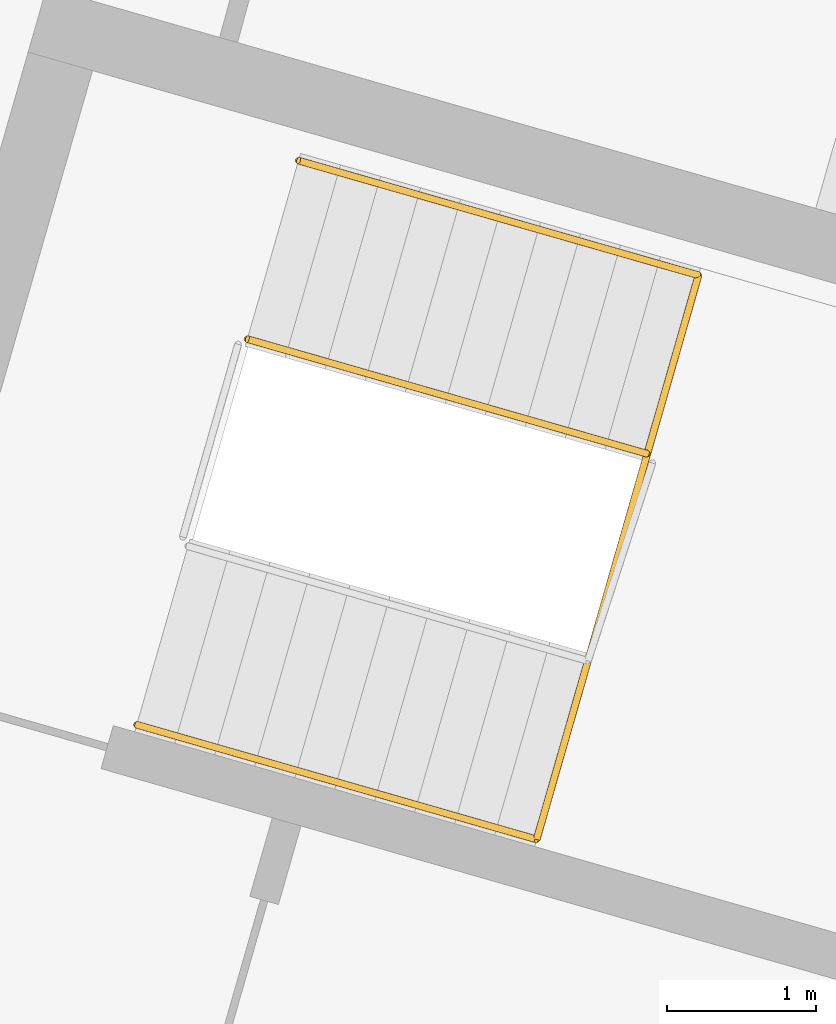
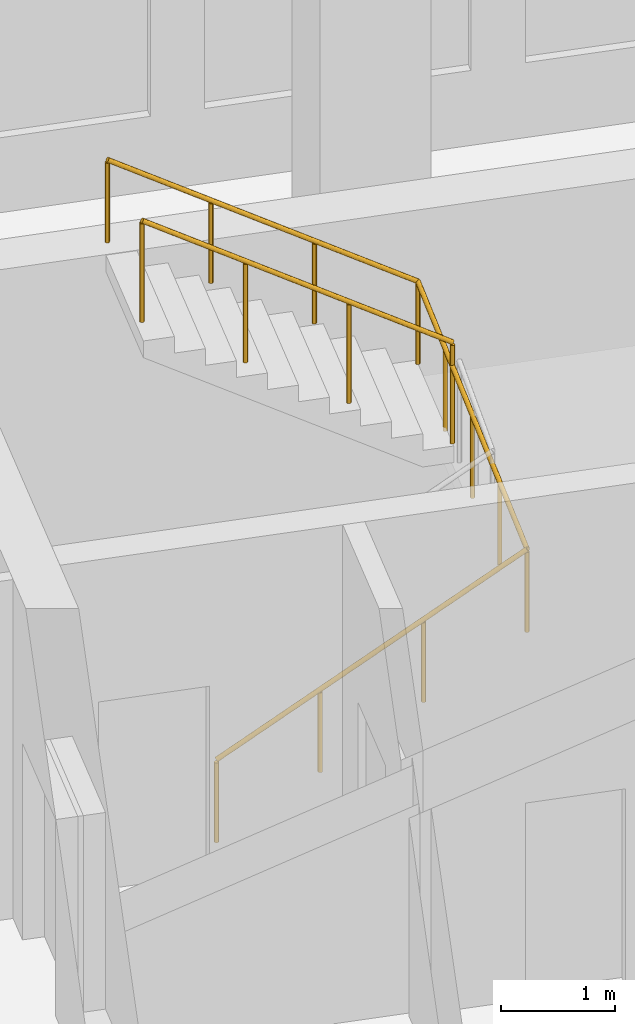
# One storey, part 11 of 12: 2 railings.
"""IFC4 building model written with IfcOpenShell, lengths in metres."""

from ifc_helpers import new_model, si_unit, direction, frame, origin, origin_2d, place, context, subcontext, project, spatial, circle, extrude, material, type_object, element, save


model = new_model("IFC4")

# Units and contexts
model_context = context("Model", 3, precision=1e-05, world=origin(), true_north=direction((0.0, 1.0)))
body_context = subcontext(model_context, "Body", "Model", "MODEL_VIEW")
ifc_project = project(units=[si_unit("LENGTHUNIT", "METRE"), si_unit("AREAUNIT", "SQUARE_METRE"), si_unit("VOLUMEUNIT", "CUBIC_METRE"), si_unit("PLANEANGLEUNIT", "RADIAN"), si_unit("MASSUNIT", "GRAM", prefix="KILO")], contexts=[model_context])

# Site, building, storey
site_placement = place(None, origin())
site = spatial("IfcSite", under=ifc_project, at=site_placement, CompositionType="ELEMENT")
building_placement = place(site_placement, origin())
building = spatial("IfcBuilding", under=site, at=building_placement, Name="Binnacle Exchange Tower", CompositionType="ELEMENT")
storey_placement = place(building_placement, frame((0.0, 0.0, 250.39990234375)))
storey = spatial("IfcBuildingStorey", under=building, at=storey_placement, Name="L55", CompositionType="ELEMENT", Elevation=250.39990234375)

# Railings
ifc_material_1 = material(Name="Steel guard rail", Category="steel")
railing_type_1 = type_object("IfcRailingType", Name="STAIR GUARD 1100", PredefinedType="GUARDRAIL", material=ifc_material_1)
railing_1_placement = place(storey_placement, frame((24.177734375, 57.332275390625, 2.12744140625)))
element("IfcRailing", 1, at=railing_1_placement, inside=storey, type_object=railing_type_1, Name="L55 STD1 stair guard 2", PredefinedType="GUARDRAIL", context=body_context, shape_type="SweptSolid", body=[
    extrude(circle(Radius=0.02392578125, at=origin_2d()), frame((0.0, 0.0, 1.076171875), z_axis=(-0.81215085225, 0.232948203448, 0.534926282491), x_axis=(-0.275711388614, -0.96124046429, 0.0)), (0.0, 0.0, 1.0), 3.31396484375),
    extrude(circle(Radius=0.02099609375, at=origin_2d()), origin(), (0.0, 0.0, 1.0), 1.052001953125),
    extrude(circle(Radius=0.02099609375, at=origin_2d()), frame((-0.897216796875, 0.25732421875, 0.5908203125)), (0.0, 0.0, 1.0), 1.052001953125),
    extrude(circle(Radius=0.02099609375, at=origin_2d()), frame((-1.794189453125, 0.5146484375, 1.181884765625)), (0.0, 0.0, 1.0), 1.052001953125),
    extrude(circle(Radius=0.02099609375, at=origin_2d()), frame((-2.69140625, 0.77197265625, 1.772705078125)), (0.0, 0.0, 1.0), 1.052001953125),
])
ifc_material_2 = material(Name="Steel handrail", Category="steel")
railing_type_2 = type_object("IfcRailingType", Name="STAIR HANDRAIL 900", PredefinedType="HANDRAIL", material=ifc_material_2)
railing_2_placement = place(storey_placement, frame((20.7421875, 55.5087890625, 0.177490234375)))
element("IfcRailing", 2, at=railing_2_placement, inside=storey, type_object=railing_type_2, Name="L55 STD1 stair handrail 1", PredefinedType="HANDRAIL", context=body_context, shape_type="SweptSolid", body=[
    extrude(circle(Radius=0.02392578125, at=origin_2d()), frame((0.0, 0.0, 0.8759765625), z_axis=(0.812164788183, -0.232878528252, 0.534935461448), x_axis=(0.275630818758, 0.961263570386, 0.0)), (0.0, 0.0, 1.0), 3.31396484375),
    extrude(circle(Radius=0.02392578125, at=origin_2d()), frame((2.69140625, -0.771728515625, 2.6484375), z_axis=(0.275390828663, 0.960286584611, 0.044828193186), x_axis=(-0.961252921364, 0.275667954558, 0.0)), (0.0, 0.0, 1.0), 3.953857421875),
    extrude(circle(Radius=0.02392578125, at=origin_2d()), frame((3.7802734375, 3.025146484375, 2.82568359375), z_axis=(-0.812189863168, 0.232864594782, 0.534903455461), x_axis=(-0.27560771734, -0.96127019414, 0.0)), (0.0, 0.0, 1.0), 3.31396484375),
    extrude(circle(Radius=0.02099609375, at=origin_2d()), origin(), (0.0, 0.0, 1.0), 0.851806640625),
    extrude(circle(Radius=0.02099609375, at=origin_2d()), frame((0.897216796875, -0.25732421875, 0.5908203125)), (0.0, 0.0, 1.0), 0.851806640625),
    extrude(circle(Radius=0.02099609375, at=origin_2d()), frame((1.794189453125, -0.514404296875, 1.181884765625)), (0.0, 0.0, 1.0), 0.851806640625),
    extrude(circle(Radius=0.02099609375, at=origin_2d()), frame((2.69140625, -0.771728515625, 1.772705078125)), (0.0, 0.0, 1.0), 0.851806640625),
    extrude(circle(Radius=0.02099609375, at=origin_2d()), frame((2.963623046875, 0.177490234375, 1.81689453125)), (0.0, 0.0, 1.0), 0.851806640625),
    extrude(circle(Radius=0.02099609375, at=origin_2d()), frame((3.23583984375, 1.126708984375, 1.861328125)), (0.0, 0.0, 1.0), 0.851806640625),
    extrude(circle(Radius=0.02099609375, at=origin_2d()), frame((3.508056640625, 2.075927734375, 1.90576171875)), (0.0, 0.0, 1.0), 0.851806640625),
    extrude(circle(Radius=0.02099609375, at=origin_2d()), frame((3.7802734375, 3.025146484375, 1.949951171875)), (0.0, 0.0, 1.0), 0.851806640625),
    extrude(circle(Radius=0.02099609375, at=origin_2d()), frame((2.883056640625, 3.282470703125, 2.540771484375)), (0.0, 0.0, 1.0), 0.851806640625),
    extrude(circle(Radius=0.02099609375, at=origin_2d()), frame((1.98583984375, 3.53955078125, 3.1318359375)), (0.0, 0.0, 1.0), 0.851806640625),
    extrude(circle(Radius=0.02099609375, at=origin_2d()), frame((1.088623046875, 3.796875, 3.72265625)), (0.0, 0.0, 1.0), 0.851806640625),
])

save(model, "model.ifc")
